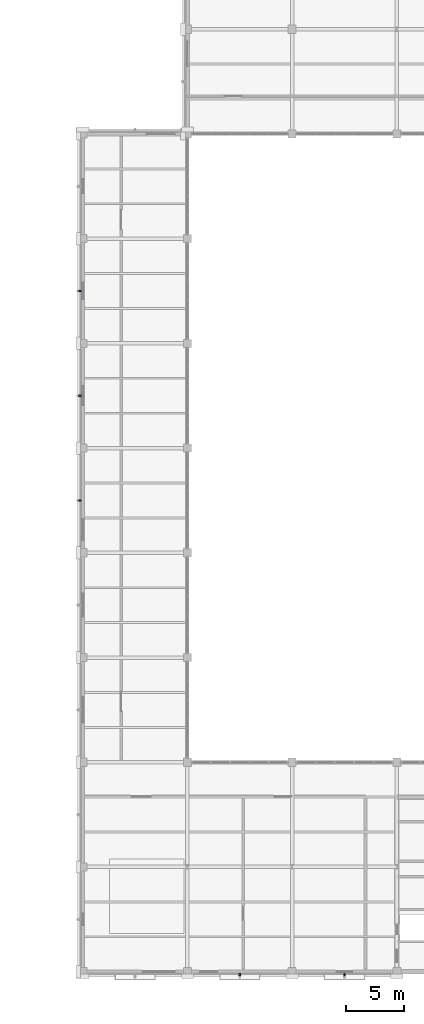
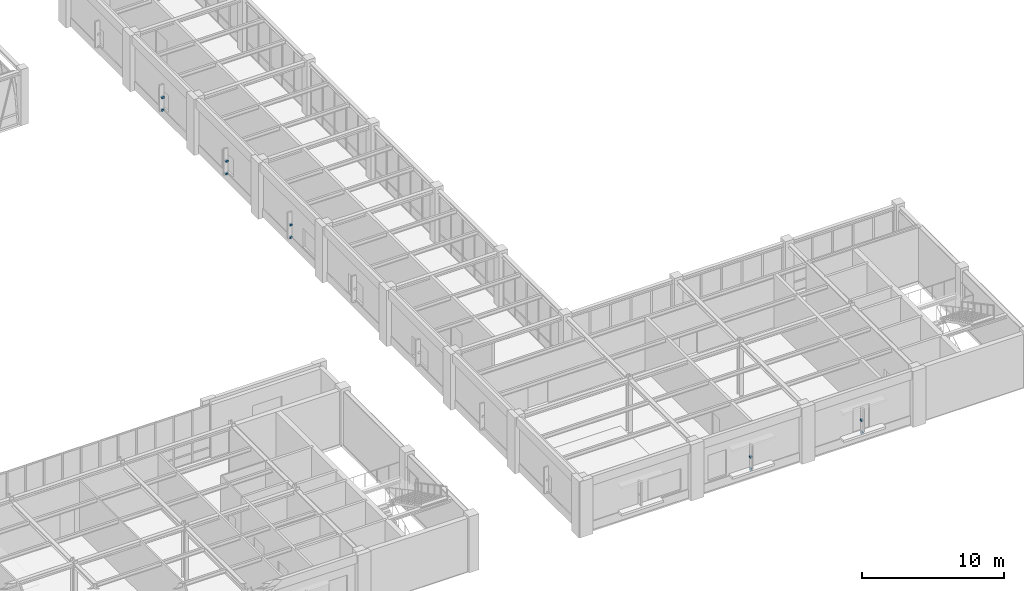
# One storey, part 88 of 98: 10 discrete accessories.
"""IFC4 building model written with IfcOpenShell, lengths in metres."""

from ifc_helpers import new_model, si_unit, direction, frame, origin, origin_2d, place, context, subcontext, project, spatial, rectangle, extrude, material, type_object, element, save


model = new_model("IFC4")

# Units and contexts
model_context = context("Model", 3, precision=1e-05, world=origin(), true_north=direction((0.0, 1.0)))
body_context = subcontext(model_context, "Body", "Model", "MODEL_VIEW")
ifc_project = project(units=[si_unit("LENGTHUNIT", "METRE"), si_unit("AREAUNIT", "SQUARE_METRE"), si_unit("VOLUMEUNIT", "CUBIC_METRE"), si_unit("PLANEANGLEUNIT", "RADIAN"), si_unit("MASSUNIT", "GRAM", prefix="KILO")], contexts=[model_context])

# Site, building, storey
site_placement = place(None, origin())
site = spatial("IfcSite", under=ifc_project, at=site_placement, CompositionType="ELEMENT")
building_placement = place(site_placement, origin())
building = spatial("IfcBuilding", under=site, at=building_placement, Name="Lykobir Media Centre", CompositionType="ELEMENT")
storey_placement = place(building_placement, frame((0.0, 0.0, 10.199951171875)))
storey = spatial("IfcBuildingStorey", under=building, at=storey_placement, Name="L02", CompositionType="ELEMENT", Elevation=10.199951171875)

# Discrete accessories
ifc_material = material(Name="Steel S355", Category="steel")
discrete_accessory_type = type_object("IfcDiscreteAccessoryType", Name="ACC-BRK", PredefinedType="BRACKET", material=ifc_material)
for number, where, z_axis, x_axis, name in (
    (1, (89.7548828125, 40.5, 0.7001953125), (0.0, 0.0, 1.0), (0.0, -1.0, 0.0), "Cumba corbel bracket 23"),
    (2, (89.7548828125, 40.5, 1.77001953125), (0.0, 0.0, 1.0), (0.0, -1.0, 0.0), "Shading fin bracket 24"),
    (3, (89.7548828125, 49.5, 0.7001953125), (0.0, 0.0, 1.0), (0.0, -1.0, 0.0), "Cumba corbel bracket 25"),
    (4, (89.7548828125, 49.5, 1.77001953125), (0.0, 0.0, 1.0), (0.0, -1.0, 0.0), "Shading fin bracket 26"),
    (5, (89.7548828125, 58.5, 0.7001953125), (0.0, 0.0, 1.0), (0.0, -1.0, 0.0), "Cumba corbel bracket 27"),
    (6, (89.7548828125, 58.5, 1.77001953125), (0.0, 0.0, 1.0), (0.0, -1.0, 0.0), "Shading fin bracket 28"),
    (7, (103.5, -0.2451171875, 0.7001953125), (0.0, 0.0, 1.0), (1.0, 0.0, 0.0), "Cumba corbel bracket 37"),
    (8, (103.5, -0.2451171875, 1.77001953125), (0.0, 0.0, 1.0), (1.0, 0.0, 0.0), "Shading fin bracket 38"),
    (9, (112.5, -0.2451171875, 0.7001953125), (0.0, 0.0, 1.0), (1.0, 0.0, 0.0), "Cumba corbel bracket 39"),
    (10, (112.5, -0.2451171875, 1.77001953125), (0.0, 0.0, 1.0), (1.0, 0.0, 0.0), "Shading fin bracket 40"),
):
    element("IfcDiscreteAccessory", number, at=place(storey_placement, frame(where, z_axis=z_axis, x_axis=x_axis)), inside=storey, type_object=discrete_accessory_type, Name=name, PredefinedType="BRACKET", context=body_context, shape_type="SweptSolid", body=[
        extrude(rectangle(XDim=0.159912109375, YDim=0.219970703125, at=origin_2d()), origin(), (0.0, 0.0, 1.0), 0.159912109375),
    ])

save(model, "model.ifc")
